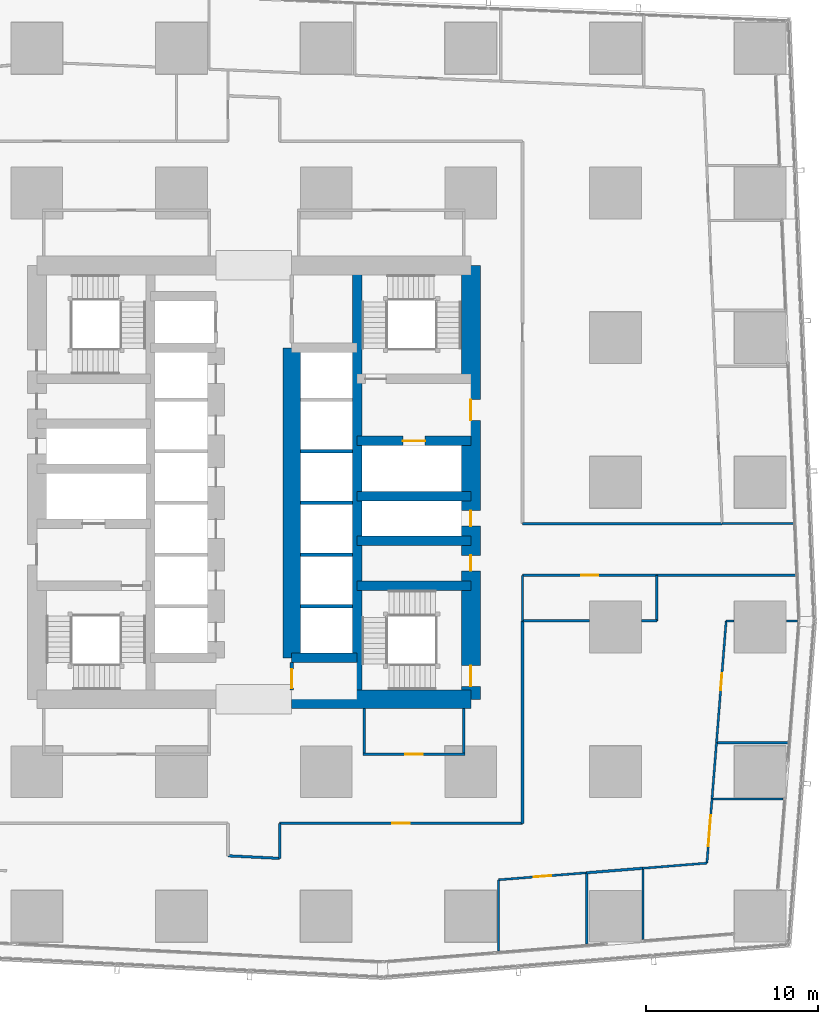
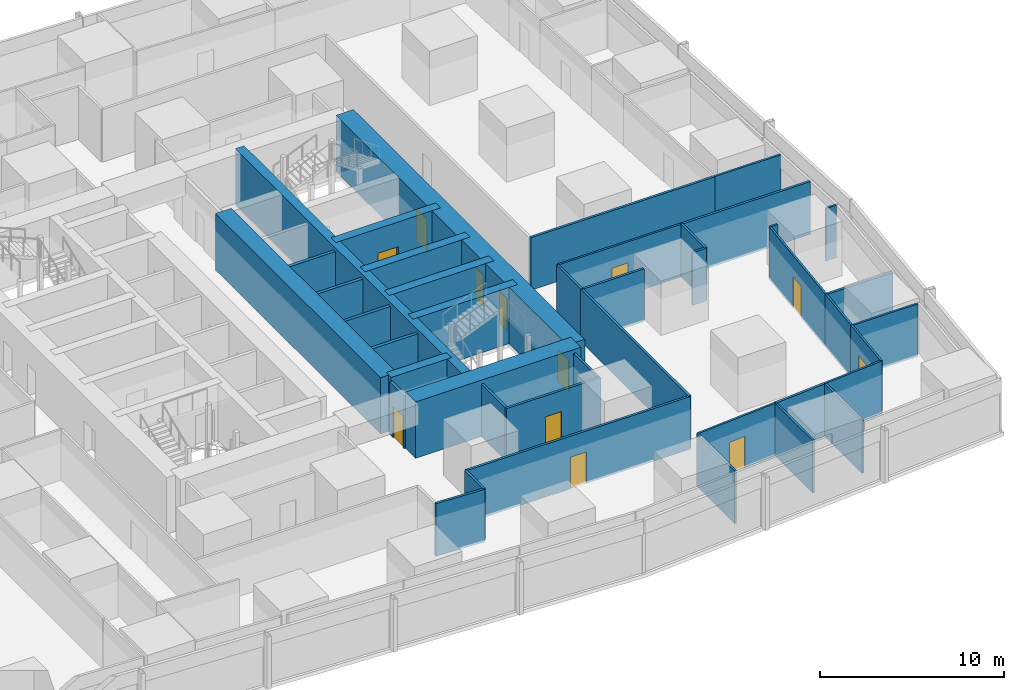
# One storey, part 33 of 45: 42 walls, 12 doors, 12 openings.
"""IFC4 building model written with IfcOpenShell, lengths in metres."""

from ifc_helpers import new_model, si_unit, direction, frame, frame_2d, origin, place, context, subcontext, project, spatial, rectangle, extrude, material, layer, layer_set, type_object, element, fill, save


model = new_model("IFC4")

# Units and contexts
model_context = context("Model", 3, precision=1e-05, world=origin(), true_north=direction((0.0, 1.0)))
body_context = subcontext(model_context, "Body", "Model", "MODEL_VIEW")
ifc_project = project(units=[si_unit("LENGTHUNIT", "METRE"), si_unit("AREAUNIT", "SQUARE_METRE"), si_unit("VOLUMEUNIT", "CUBIC_METRE"), si_unit("PLANEANGLEUNIT", "RADIAN"), si_unit("MASSUNIT", "GRAM", prefix="KILO")], contexts=[model_context])

# Site, building, storey
site_placement = place(None, origin())
site = spatial("IfcSite", under=ifc_project, at=site_placement, CompositionType="ELEMENT")
building_placement = place(site_placement, origin())
building = spatial("IfcBuilding", under=site, at=building_placement, Name="Rekha Terrace Tower", CompositionType="ELEMENT")
storey_placement = place(building_placement, frame((0.0, 0.0, 77.89990234375)))
storey = spatial("IfcBuildingStorey", under=building, at=storey_placement, Name="L19", CompositionType="ELEMENT", Elevation=77.89990234375)

# Walls
ifc_material_1 = material(Name="Concrete M70", Category="concrete")
ifc_layer_1 = layer(ifc_material_1, 0.550048828125)
ifc_layer_set_1 = layer_set([ifc_layer_1], Name="Concrete M70")
wall_type_1 = type_object("IfcWallType", Name="CI1 550 core internal shear wall", PredefinedType="SHEAR", material=ifc_layer_set_1)
wall_1_placement = place(storey_placement, frame((43.800048828125, 21.0, 0.0), z_axis=(0.0, 0.0, 1.0), x_axis=(0.0, 1.0, 0.0)))
element("IfcWall", 1, at=wall_1_placement, inside=storey, type_object=wall_type_1, Name="Core wall X438 L19", PredefinedType="SHEAR", context=body_context, shape_type="SweptSolid", body=[
    extrude(rectangle(XDim=25.199951171875, YDim=0.550048828125, at=frame_2d((12.60009765625, 0.0))), origin(), (0.0, 0.0, 1.0), 3.75),
])
wall_2_placement = place(storey_placement, frame((40.0, 23.39990234375, 0.0), z_axis=(0.0, 0.0, 1.0), x_axis=(1.0, 0.0, 0.0)))
element("IfcWall", 2, at=wall_2_placement, inside=storey, type_object=wall_type_1, Name="Core wall Y234E L19", PredefinedType="SHEAR", context=body_context, shape_type="SweptSolid", body=[
    extrude(rectangle(XDim=3.800048828125, YDim=0.550048828125, at=frame_2d((1.89990234375, 0.0))), origin(), (0.0, 0.0, 1.0), 3.75),
])
for number, where, z_axis, x_axis, name in (
    (3, (43.800048828125, 27.60009765625, 0.0), (0.0, 0.0, 1.0), (1.0, 0.0, 0.0), "Core wall Y276E L19"),
    (4, (43.800048828125, 30.199951171875, 0.0), (0.0, 0.0, 1.0), (1.0, 0.0, 0.0), "Core wall Y302E L19"),
    (5, (43.800048828125, 32.800048828125, 0.0), (0.0, 0.0, 1.0), (1.0, 0.0, 0.0), "Core wall Y328E L19"),
):
    element("IfcWall", number, at=place(storey_placement, frame(where, z_axis=z_axis, x_axis=x_axis)), inside=storey, type_object=wall_type_1, Name=name, PredefinedType="SHEAR", context=body_context, shape_type="SweptSolid", body=[
        extrude(rectangle(XDim=6.599853515625, YDim=0.550048828125, at=frame_2d((3.2998046875, 0.0))), origin(), (0.0, 0.0, 1.0), 3.75),
    ])

# Wall, opening, door
wall_3_placement = place(storey_placement, frame((43.800048828125, 36.0, 0.0), z_axis=(0.0, 0.0, 1.0), x_axis=(1.0, 0.0, 0.0)))
wall_3 = element("IfcWall", 6, at=wall_3_placement, inside=storey, type_object=wall_type_1, Name="Core wall Y360E L19", PredefinedType="SHEAR", context=body_context, shape_type="SweptSolid", body=[
    extrude(rectangle(XDim=6.599853515625, YDim=0.550048828125, at=frame_2d((3.2998046875, 0.0))), origin(), (0.0, 0.0, 1.0), 3.75),
])
opening_1_placement = place(wall_3_placement, frame((2.64990234375, 0.0, 0.0)))
opening_1 = element("IfcOpeningElement", 7, at=opening_1_placement, cuts=wall_3, Name="Opening LD2", PredefinedType="OPENING", context=body_context, shape_type="SweptSolid", body=[
    extrude(rectangle(XDim=1.300048828125, YDim=2.10009765625, at=frame_2d((0.64990234375, 1.050048828125))), frame((0.0, 0.284912109375, 0.0), z_axis=(0.0, -1.0, 0.0), x_axis=(1.0, 0.0, 0.0)), (0.0, 0.0, 1.0), 0.570068359375),
])
ifc_material_2 = material(Name="Stainless steel sliding landing door", Category="steel")
door_type_1 = type_object("IfcDoorType", Name="LD2 1300x2100 fire lift landing door", OperationType="SLIDING_TO_LEFT", PredefinedType="USERDEFINED", material=ifc_material_2)
door_1_placement = place(opening_1_placement, origin())
door_1 = element("IfcDoor", 8, at=door_1_placement, inside=storey, type_object=door_type_1, Name="Lift FL2 landing door L19", ObjectType="LIFT LANDING DOOR", OperationType="SLIDING_TO_LEFT", OverallHeight=2.10009765625, OverallWidth=1.300048828125, PredefinedType="USERDEFINED", context=body_context, shape_type="SweptSolid", body=[
    extrude(rectangle(XDim=1.300048828125, YDim=2.10009765625, at=frame_2d((0.64990234375, 1.050048828125))), frame((0.0, 0.02490234375, 0.0), z_axis=(0.0, -1.0, 0.0), x_axis=(1.0, 0.0, 0.0)), (0.0, 0.0, 1.0), 0.050048828125),
])
fill(opening_1, door_1)

# Walls
ifc_layer_2 = layer(ifc_material_1, 1.0)
ifc_layer_set_2 = layer_set([ifc_layer_2], Name="Concrete M70")
wall_type_2 = type_object("IfcWallType", Name="LW1 1000 core lobby wall at an outrigger level", PredefinedType="SHEAR", material=ifc_layer_set_2)
wall_4_placement = place(storey_placement, frame((40.0, 23.39990234375, 0.0), z_axis=(0.0, 0.0, 1.0), x_axis=(0.0, 1.0, 0.0)))
element("IfcWall", 9, at=wall_4_placement, inside=storey, type_object=wall_type_2, Name="Core wall X400 L19", PredefinedType="SHEAR", context=body_context, shape_type="SweptSolid", body=[
    extrude(rectangle(XDim=18.0, YDim=1.0, at=frame_2d((9.0, 0.0))), origin(), (0.0, 0.0, 1.0), 3.75),
])
ifc_layer_3 = layer(ifc_material_1, 1.10009765625)
ifc_layer_set_3 = layer_set([ifc_layer_3], Name="Concrete M70")
wall_type_3 = type_object("IfcWallType", Name="SW1 1100 core outer shear wall", PredefinedType="SHEAR", material=ifc_layer_set_3)
wall_5_placement = place(storey_placement, frame((40.0, 21.0, 0.0), z_axis=(0.0, 0.0, 1.0), x_axis=(1.0, 0.0, 0.0)))
element("IfcWall", 10, at=wall_5_placement, inside=storey, type_object=wall_type_3, Name="Core wall S2 L19", PredefinedType="SHEAR", context=body_context, shape_type="SweptSolid", body=[
    extrude(rectangle(XDim=10.39990234375, YDim=1.10009765625, at=frame_2d((5.199951171875, 0.0))), origin(), (0.0, 0.0, 1.0), 3.75),
])

# Wall, openings, doors
wall_6_placement = place(storey_placement, frame((50.39990234375, 21.0, 0.0), z_axis=(0.0, 0.0, 1.0), x_axis=(0.0, 1.0, 0.0)))
wall_6 = element("IfcWall", 11, at=wall_6_placement, inside=storey, type_object=wall_type_3, Name="Core wall E L19", PredefinedType="SHEAR", context=body_context, shape_type="SweptSolid", body=[
    extrude(rectangle(XDim=25.199951171875, YDim=1.10009765625, at=frame_2d((12.60009765625, 0.0))), origin(), (0.0, 0.0, 1.0), 3.75),
])
opening_2_placement = place(wall_6_placement, frame((16.199951171875, 0.0, 0.0)))
opening_2 = element("IfcOpeningElement", 12, at=opening_2_placement, cuts=wall_6, Name="Opening D2", PredefinedType="OPENING", context=body_context, shape_type="SweptSolid", body=[
    extrude(rectangle(XDim=1.199951171875, YDim=2.10009765625, at=frame_2d((0.60009765625, 1.050048828125))), frame((0.0, 0.56005859375, 0.0), z_axis=(0.0, -1.0, 0.0), x_axis=(1.0, 0.0, 0.0)), (0.0, 0.0, 1.0), 1.1201171875),
])
opening_3_placement = place(wall_6_placement, frame((10.050048828125, 0.0, 0.0)))
opening_3 = element("IfcOpeningElement", 13, at=opening_3_placement, cuts=wall_6, Name="Opening D5", PredefinedType="OPENING", context=body_context, shape_type="SweptSolid", body=[
    extrude(rectangle(XDim=0.89990234375, YDim=2.10009765625, at=frame_2d((0.449951171875, 1.050048828125))), frame((0.0, 0.56005859375, 0.0), z_axis=(0.0, -1.0, 0.0), x_axis=(1.0, 0.0, 0.0)), (0.0, 0.0, 1.0), 1.1201171875),
])
opening_4_placement = place(wall_6_placement, frame((7.449951171875, 0.0, 0.0)))
opening_4 = element("IfcOpeningElement", 14, at=opening_4_placement, cuts=wall_6, Name="Opening D5", PredefinedType="OPENING", context=body_context, shape_type="SweptSolid", body=[
    extrude(rectangle(XDim=0.89990234375, YDim=2.10009765625, at=frame_2d((0.449951171875, 1.050048828125))), frame((0.0, 0.56005859375, 0.0), z_axis=(0.0, -1.0, 0.0), x_axis=(1.0, 0.0, 0.0)), (0.0, 0.0, 1.0), 1.1201171875),
])
opening_5_placement = place(wall_6_placement, frame((0.75, 0.0, 0.0)))
opening_5 = element("IfcOpeningElement", 15, at=opening_5_placement, cuts=wall_6, Name="Opening D1", PredefinedType="OPENING", context=body_context, shape_type="SweptSolid", body=[
    extrude(rectangle(XDim=1.199951171875, YDim=2.10009765625, at=frame_2d((0.60009765625, 1.050048828125))), frame((0.0, 0.56005859375, 0.0), z_axis=(0.0, -1.0, 0.0), x_axis=(1.0, 0.0, 0.0)), (0.0, 0.0, 1.0), 1.1201171875),
])
ifc_material_3 = material(Name="Steel fire door", Category="steel")
door_type_2 = type_object("IfcDoorType", Name="D1 1200x2100 stair fire door", OperationType="SINGLE_SWING_RIGHT", PredefinedType="DOOR", material=ifc_material_3)
door_2_placement = place(opening_5_placement, origin())
door_2 = element("IfcDoor", 16, at=door_2_placement, inside=storey, type_object=door_type_2, Name="Stair ST3 door L19", OperationType="SINGLE_SWING_RIGHT", OverallHeight=2.10009765625, OverallWidth=1.199951171875, PredefinedType="DOOR", context=body_context, shape_type="SweptSolid", body=[
    extrude(rectangle(XDim=1.199951171875, YDim=2.10009765625, at=frame_2d((0.60009765625, 1.050048828125))), frame((0.0, 0.02490234375, 0.0), z_axis=(0.0, -1.0, 0.0), x_axis=(1.0, 0.0, 0.0)), (0.0, 0.0, 1.0), 0.050048828125),
])
fill(opening_5, door_2)
door_type_3 = type_object("IfcDoorType", Name="D2 1200x2100 firefighting lobby door", OperationType="SINGLE_SWING_LEFT", PredefinedType="DOOR", material=ifc_material_3)
door_3_placement = place(opening_2_placement, origin())
door_3 = element("IfcDoor", 17, at=door_3_placement, inside=storey, type_object=door_type_3, Name="Door flb2 L19", OperationType="SINGLE_SWING_LEFT", OverallHeight=2.10009765625, OverallWidth=1.199951171875, PredefinedType="DOOR", context=body_context, shape_type="SweptSolid", body=[
    extrude(rectangle(XDim=1.199951171875, YDim=2.10009765625, at=frame_2d((0.60009765625, 1.050048828125))), frame((0.0, 0.02490234375, 0.0), z_axis=(0.0, -1.0, 0.0), x_axis=(1.0, 0.0, 0.0)), (0.0, 0.0, 1.0), 0.050048828125),
])
fill(opening_2, door_3)
door_type_4 = type_object("IfcDoorType", Name="D5 900x2100 riser access door", OperationType="SINGLE_SWING_LEFT", PredefinedType="DOOR", material=ifc_material_3)
door_4_placement = place(opening_3_placement, origin())
door_4 = element("IfcDoor", 18, at=door_4_placement, inside=storey, type_object=door_type_4, Name="Door rs2 L19", OperationType="SINGLE_SWING_LEFT", OverallHeight=2.10009765625, OverallWidth=0.89990234375, PredefinedType="DOOR", context=body_context, shape_type="SweptSolid", body=[
    extrude(rectangle(XDim=0.89990234375, YDim=2.10009765625, at=frame_2d((0.449951171875, 1.050048828125))), frame((0.0, 0.02490234375, 0.0), z_axis=(0.0, -1.0, 0.0), x_axis=(1.0, 0.0, 0.0)), (0.0, 0.0, 1.0), 0.050048828125),
])
fill(opening_3, door_4)
door_5_placement = place(opening_4_placement, origin())
door_5 = element("IfcDoor", 19, at=door_5_placement, inside=storey, type_object=door_type_4, Name="Door ele L19", OperationType="SINGLE_SWING_LEFT", OverallHeight=2.10009765625, OverallWidth=0.89990234375, PredefinedType="DOOR", context=body_context, shape_type="SweptSolid", body=[
    extrude(rectangle(XDim=0.89990234375, YDim=2.10009765625, at=frame_2d((0.449951171875, 1.050048828125))), frame((0.0, 0.02490234375, 0.0), z_axis=(0.0, -1.0, 0.0), x_axis=(1.0, 0.0, 0.0)), (0.0, 0.0, 1.0), 0.050048828125),
])
fill(opening_4, door_5)

# Wall, opening, door
ifc_material_4 = material(Name="Concrete block masonry, 1 hour", Category="masonry")
ifc_layer_4 = layer(ifc_material_4, 0.14990234375)
ifc_layer_set_4 = layer_set([ifc_layer_4], Name="Concrete block masonry, 1 hour")
wall_type_4 = type_object("IfcWallType", Name="WP2 150 tenancy partition", PredefinedType="PARTITIONING", material=ifc_layer_set_4)
wall_7_placement = place(storey_placement, frame((44.125, 17.800048828125, 0.0), z_axis=(0.0, 0.0, 1.0), x_axis=(1.0, 0.0, 0.0)))
wall_7 = element("IfcWall", 20, at=wall_7_placement, inside=storey, type_object=wall_type_4, Name="Men's WC wall L19", PredefinedType="PARTITIONING", context=body_context, shape_type="SweptSolid", body=[
    extrude(rectangle(XDim=5.949951171875, YDim=0.14990234375, at=frame_2d((2.97509765625, 0.0))), origin(), (0.0, 0.0, 1.0), 3.5),
])
opening_6_placement = place(wall_7_placement, frame((2.47509765625, 0.0, 0.0)))
opening_6 = element("IfcOpeningElement", 21, at=opening_6_placement, cuts=wall_7, Name="Opening D3", PredefinedType="OPENING", context=body_context, shape_type="SweptSolid", body=[
    extrude(rectangle(XDim=1.0, YDim=2.10009765625, at=frame_2d((0.5, 1.050048828125))), frame((0.0, 0.0849609375, 0.0), z_axis=(0.0, -1.0, 0.0), x_axis=(1.0, 0.0, 0.0)), (0.0, 0.0, 1.0), 0.169921875),
])
ifc_material_5 = material(Name="Laminated timber fire door", Category="wood")
door_type_5 = type_object("IfcDoorType", Name="D3 1000x2100 WC door", OperationType="SINGLE_SWING_LEFT", PredefinedType="DOOR", material=ifc_material_5)
door_6_placement = place(opening_6_placement, origin())
door_6 = element("IfcDoor", 22, at=door_6_placement, inside=storey, type_object=door_type_5, Name="Door men's wc L19", OperationType="SINGLE_SWING_LEFT", OverallHeight=2.10009765625, OverallWidth=1.0, PredefinedType="DOOR", context=body_context, shape_type="SweptSolid", body=[
    extrude(rectangle(XDim=1.0, YDim=2.10009765625, at=frame_2d((0.5, 1.050048828125))), frame((0.0, 0.02490234375, 0.0), z_axis=(0.0, -1.0, 0.0), x_axis=(1.0, 0.0, 0.0)), (0.0, 0.0, 1.0), 0.050048828125),
])
fill(opening_6, door_6)

# Walls
for number, where, z_axis, x_axis, name in (
    (23, (44.199951171875, 17.875, 0.0), (0.0, 0.0, 1.0), (0.0, 1.0, 0.0), "Men's WC wall L19"),
    (24, (50.0, 17.875, 0.0), (0.0, 0.0, 1.0), (0.0, 1.0, 0.0), "Men's WC wall L19"),
):
    element("IfcWall", number, at=place(storey_placement, frame(where, z_axis=z_axis, x_axis=x_axis)), inside=storey, type_object=wall_type_4, Name=name, PredefinedType="PARTITIONING", context=body_context, shape_type="SweptSolid", body=[
        extrude(rectangle(XDim=2.574951171875, YDim=0.14990234375, at=frame_2d((1.28759765625, 0.0))), origin(), (0.0, 0.0, 1.0), 3.5),
    ])
wall_8_placement = place(storey_placement, frame((53.39990234375, 13.800048828125, 0.0), z_axis=(0.0, 0.0, 1.0), x_axis=(0.0, 1.0, 0.0)))
element("IfcWall", 25, at=wall_8_placement, inside=storey, type_object=wall_type_4, Name="Partition L19-O1", PredefinedType="PARTITIONING", context=body_context, shape_type="SweptSolid", body=[
    extrude(rectangle(XDim=11.751953125, YDim=0.14990234375, at=frame_2d((5.8759765625, 0.0))), origin(), (0.0, 0.0, 1.0), 3.5),
])
wall_9_placement = place(storey_placement, frame((53.39990234375, 25.552001953125, 0.0), z_axis=(0.0, 0.0, 1.0), x_axis=(1.0, 0.0, 0.0)))
element("IfcWall", 26, at=wall_9_placement, inside=storey, type_object=wall_type_4, Name="Partition L19-O1", PredefinedType="PARTITIONING", context=body_context, shape_type="SweptSolid", body=[
    extrude(rectangle(XDim=3.880126953125, YDim=0.14990234375, at=frame_2d((1.93994140625, 0.0))), origin(), (0.0, 0.0, 1.0), 3.5),
])
wall_10_placement = place(storey_placement, frame((60.320068359375, 25.552001953125, 0.0), z_axis=(0.0, 0.0, 1.0), x_axis=(1.0, 0.0, 0.0)))
element("IfcWall", 27, at=wall_10_placement, inside=storey, type_object=wall_type_4, Name="Partition L19-O1", PredefinedType="PARTITIONING", context=body_context, shape_type="SweptSolid", body=[
    extrude(rectangle(XDim=0.8798828125, YDim=0.14990234375, at=frame_2d((0.43994140625, 0.0))), origin(), (0.0, 0.0, 1.0), 3.5),
])
wall_11_placement = place(storey_placement, frame((61.199951171875, 25.552001953125, 0.0), z_axis=(0.0, 0.0, 1.0), x_axis=(0.0, 1.0, 0.0)))
element("IfcWall", 28, at=wall_11_placement, inside=storey, type_object=wall_type_4, Name="Partition L19-O1", PredefinedType="PARTITIONING", context=body_context, shape_type="SweptSolid", body=[
    extrude(rectangle(XDim=2.64794921875, YDim=0.14990234375, at=frame_2d((1.323974609375, 0.0))), origin(), (0.0, 0.0, 1.0), 3.5),
])
wall_12_placement = place(storey_placement, frame((61.199951171875, 28.199951171875, 0.0), z_axis=(0.0, 0.0, 1.0), x_axis=(1.0, 0.0, 0.0)))
element("IfcWall", 29, at=wall_12_placement, inside=storey, type_object=wall_type_4, Name="Partition L19-O1", PredefinedType="PARTITIONING", context=body_context, shape_type="SweptSolid", body=[
    extrude(rectangle(XDim=8.073974609375, YDim=0.14990234375, at=frame_2d((4.037109375, 0.0))), origin(), (0.0, 0.0, 1.0), 3.5),
])
wall_13_placement = place(storey_placement, frame((64.72900390625, 18.47705078125, 0.0), z_axis=(0.0, 0.0, 1.0), x_axis=(1.0, 0.0, 0.0)))
element("IfcWall", 30, at=wall_13_placement, inside=storey, type_object=wall_type_4, Name="Partition L19-O1", PredefinedType="PARTITIONING", context=body_context, shape_type="SweptSolid", body=[
    extrude(rectangle(XDim=4.10009765625, YDim=0.14990234375, at=frame_2d((2.050048828125, 0.0))), origin(), (0.0, 0.0, 1.0), 3.5),
])
wall_14_placement = place(storey_placement, frame((60.35888671875, 11.18408203125, 0.0), z_axis=(0.0, 0.0, 1.0), x_axis=(-0.996797760889, -0.079963891146, 0.0)))
element("IfcWall", 31, at=wall_14_placement, inside=storey, type_object=wall_type_4, Name="Partition L19-O1", PredefinedType="PARTITIONING", context=body_context, shape_type="SweptSolid", body=[
    extrude(rectangle(XDim=3.2392578125, YDim=0.14990234375, at=frame_2d((1.61962890625, 0.0))), origin(), (0.0, 0.0, 1.0), 3.5),
])
wall_15_placement = place(storey_placement, frame((36.300048828125, 11.908935546875, 0.0), z_axis=(0.0, 0.0, 1.0), x_axis=(0.998802102454, -0.048932199355, 0.0)))
element("IfcWall", 32, at=wall_15_placement, inside=storey, type_object=wall_type_4, Name="Partition L19-O1", PredefinedType="PARTITIONING", context=body_context, shape_type="SweptSolid", body=[
    extrude(rectangle(XDim=3.003662109375, YDim=0.14990234375, at=frame_2d((1.501953125, 0.0))), origin(), (0.0, 0.0, 1.0), 3.5),
])
wall_16_placement = place(storey_placement, frame((39.300048828125, 11.761962890625, 0.0), z_axis=(0.0, 0.0, 1.0), x_axis=(0.0, 1.0, 0.0)))
element("IfcWall", 33, at=wall_16_placement, inside=storey, type_object=wall_type_4, Name="Partition L19-O1", PredefinedType="PARTITIONING", context=body_context, shape_type="SweptSolid", body=[
    extrude(rectangle(XDim=2.0380859375, YDim=0.14990234375, at=frame_2d((1.01904296875, 0.0))), origin(), (0.0, 0.0, 1.0), 3.5),
])

# Wall, opening, door
wall_17_placement = place(storey_placement, frame((39.300048828125, 13.800048828125, 0.0), z_axis=(0.0, 0.0, 1.0), x_axis=(1.0, 0.0, 0.0)))
wall_17 = element("IfcWall", 34, at=wall_17_placement, inside=storey, type_object=wall_type_4, Name="Partition L19-O1", PredefinedType="PARTITIONING", context=body_context, shape_type="SweptSolid", body=[
    extrude(rectangle(XDim=14.099853515625, YDim=0.14990234375, at=frame_2d((7.0498046875, 0.0))), origin(), (0.0, 0.0, 1.0), 3.5),
])
opening_7_placement = place(wall_17_placement, frame((6.550048828125, 0.0, 0.0)))
opening_7 = element("IfcOpeningElement", 35, at=opening_7_placement, cuts=wall_17, Name="Opening D9", PredefinedType="OPENING", context=body_context, shape_type="SweptSolid", body=[
    extrude(rectangle(XDim=1.0, YDim=2.10009765625, at=frame_2d((0.5, 1.050048828125))), frame((0.0, 0.0849609375, 0.0), z_axis=(0.0, -1.0, 0.0), x_axis=(1.0, 0.0, 0.0)), (0.0, 0.0, 1.0), 0.169921875),
])
ifc_material_6 = material(Name="Timber fire door", Category="wood")
door_type_6 = type_object("IfcDoorType", Name="D9 1000x2100 office door", OperationType="SINGLE_SWING_LEFT", PredefinedType="DOOR", material=ifc_material_6)
door_7_placement = place(opening_7_placement, origin())
door_7 = element("IfcDoor", 36, at=door_7_placement, inside=storey, type_object=door_type_6, Name="Door open-plan office L19", OperationType="SINGLE_SWING_LEFT", OverallHeight=2.10009765625, OverallWidth=1.0, PredefinedType="DOOR", context=body_context, shape_type="SweptSolid", body=[
    extrude(rectangle(XDim=1.0, YDim=2.10009765625, at=frame_2d((0.5, 1.050048828125))), frame((0.0, 0.02490234375, 0.0), z_axis=(0.0, -1.0, 0.0), x_axis=(1.0, 0.0, 0.0)), (0.0, 0.0, 1.0), 0.050048828125),
])
fill(opening_7, door_7)

# Wall
wall_18_placement = place(storey_placement, frame((64.990966796875, 31.199951171875, 0.0), z_axis=(0.0, 0.0, 1.0), x_axis=(-1.0, 0.0, 0.0)))
element("IfcWall", 37, at=wall_18_placement, inside=storey, type_object=wall_type_4, Name="Partition L19-O3", PredefinedType="PARTITIONING", context=body_context, shape_type="SweptSolid", body=[
    extrude(rectangle(XDim=11.591064453125, YDim=0.14990234375, at=frame_2d((5.79541015625, 0.0))), origin(), (0.0, 0.0, 1.0), 3.5),
])

# Wall, opening, door
ifc_material_7 = material(Name="Two layers of fire-rated gypsum board each side on steel studs, acoustic quilt, 1 hour", Category="steel")
ifc_layer_5 = layer(ifc_material_7, 0.125)
ifc_layer_set_5 = layer_set([ifc_layer_5], Name="Two layers of fire-rated gypsum board each side on steel studs, acoustic quilt, 1 hour")
wall_type_5 = type_object("IfcWallType", Name="WP3 125 office partition", PredefinedType="PARTITIONING", material=ifc_layer_set_5)
wall_19_placement = place(storey_placement, frame((52.0009765625, 10.514892578125, 0.0), z_axis=(0.0, 0.0, 1.0), x_axis=(0.996816485631, 0.079730132159, 0.0)))
wall_19 = element("IfcWall", 38, at=wall_19_placement, inside=storey, type_object=wall_type_5, Name="Partition L19-02", PredefinedType="PARTITIONING", context=body_context, shape_type="SweptSolid", body=[
    extrude(rectangle(XDim=5.144287109375, YDim=0.125, at=frame_2d((2.572265625, 0.0))), origin(), (0.0, 0.0, 1.0), 3.5),
])
opening_8_placement = place(wall_19_placement, frame((2.072021484375, 0.0, 0.0)))
opening_8 = element("IfcOpeningElement", 39, at=opening_8_placement, cuts=wall_19, Name="Opening D9", PredefinedType="OPENING", context=body_context, shape_type="SweptSolid", body=[
    extrude(rectangle(XDim=1.0, YDim=2.10009765625, at=frame_2d((0.5, 1.050048828125))), frame((0.0, 0.072509765625, 0.0), z_axis=(0.0, -1.0, 0.0), x_axis=(1.0, 0.0, 0.0)), (0.0, 0.0, 1.0), 0.14501953125),
])
door_8_placement = place(opening_8_placement, origin())
door_8 = element("IfcDoor", 40, at=door_8_placement, inside=storey, type_object=door_type_6, Name="Door meeting room L19", OperationType="SINGLE_SWING_LEFT", OverallHeight=2.10009765625, OverallWidth=1.0, PredefinedType="DOOR", context=body_context, shape_type="SweptSolid", body=[
    extrude(rectangle(XDim=1.0, YDim=2.10009765625, at=frame_2d((0.5, 1.050048828125))), frame((0.0, 0.02490234375, 0.0), z_axis=(0.0, -1.0, 0.0), x_axis=(1.0, 0.0, 0.0)), (0.0, 0.0, 1.0), 0.050048828125),
])
fill(opening_8, door_8)

# Walls
wall_20_placement = place(storey_placement, frame((57.12890625, 10.925048828125, 0.0), z_axis=(0.0, 0.0, 1.0), x_axis=(0.0, -1.0, 0.0)))
element("IfcWall", 41, at=wall_20_placement, inside=storey, type_object=wall_type_5, Name="Partition L19-02", PredefinedType="PARTITIONING", context=body_context, shape_type="SweptSolid", body=[
    extrude(rectangle(XDim=4.133056640625, YDim=0.125, at=frame_2d((2.06640625, 0.0))), origin(), (0.0, 0.0, 1.0), 3.5),
])
wall_21_placement = place(storey_placement, frame((52.0009765625, 6.381103515625, 0.0), z_axis=(0.0, 0.0, 1.0), x_axis=(0.0, 1.0, 0.0)))
element("IfcWall", 42, at=wall_21_placement, inside=storey, type_object=wall_type_5, Name="Partition L19-02", PredefinedType="PARTITIONING", context=body_context, shape_type="SweptSolid", body=[
    extrude(rectangle(XDim=4.1337890625, YDim=0.125, at=frame_2d((2.06689453125, 0.0))), origin(), (0.0, 0.0, 1.0), 3.5),
])
wall_22_placement = place(storey_placement, frame((60.39208984375, 7.053955078125, 0.0), z_axis=(0.0, 0.0, 1.0), x_axis=(0.0, 1.0, 0.0)))
element("IfcWall", 43, at=wall_22_placement, inside=storey, type_object=wall_type_5, Name="Partition L19-04", PredefinedType="PARTITIONING", context=body_context, shape_type="SweptSolid", body=[
    extrude(rectangle(XDim=4.070068359375, YDim=0.125, at=frame_2d((2.03515625, 0.0))), origin(), (0.0, 0.0, 1.0), 3.5),
])
wall_23_placement = place(storey_placement, frame((60.360107421875, 11.18408203125, 0.0), z_axis=(0.0, 0.0, 1.0), x_axis=(0.996795236894, 0.079995348027, 0.0)))
element("IfcWall", 44, at=wall_23_placement, inside=storey, type_object=wall_type_5, Name="Partition L19-04", PredefinedType="PARTITIONING", context=body_context, shape_type="SweptSolid", body=[
    extrude(rectangle(XDim=3.762939453125, YDim=0.125, at=frame_2d((1.88134765625, 0.0))), origin(), (0.0, 0.0, 1.0), 3.5),
])

# Wall, opening, door
wall_24_placement = place(storey_placement, frame((64.111083984375, 11.485107421875, 0.0), z_axis=(0.0, 0.0, 1.0), x_axis=(0.079075405568, 0.996868637401, 0.0)))
wall_24 = element("IfcWall", 45, at=wall_24_placement, inside=storey, type_object=wall_type_5, Name="Partition L19-04", PredefinedType="PARTITIONING", context=body_context, shape_type="SweptSolid", body=[
    extrude(rectangle(XDim=3.7666015625, YDim=0.125, at=frame_2d((1.88330078125, 0.0))), origin(), (0.0, 0.0, 1.0), 3.5),
])
opening_9_placement = place(wall_24_placement, frame((0.98291015625, 0.0, 0.0)))
opening_9 = element("IfcOpeningElement", 46, at=opening_9_placement, cuts=wall_24, Name="Opening D8", PredefinedType="OPENING", context=body_context, shape_type="SweptSolid", body=[
    extrude(rectangle(XDim=1.800048828125, YDim=2.10009765625, at=frame_2d((0.89990234375, 1.050048828125))), frame((0.0, 0.072509765625, 0.0), z_axis=(0.0, -1.0, 0.0), x_axis=(1.0, 0.0, 0.0)), (0.0, 0.0, 1.0), 0.14501953125),
])
door_type_7 = type_object("IfcDoorType", Name="D8 1800x2100 double leaf door", OperationType="DOUBLE_DOOR_SINGLE_SWING", PredefinedType="DOOR", material=ifc_material_6)
door_9_placement = place(opening_9_placement, origin())
door_9 = element("IfcDoor", 47, at=door_9_placement, inside=storey, type_object=door_type_7, Name="Door meeting room L19", OperationType="DOUBLE_DOOR_SINGLE_SWING", OverallHeight=2.10009765625, OverallWidth=1.800048828125, PredefinedType="DOOR", context=body_context, shape_type="SweptSolid", body=[
    extrude(rectangle(XDim=1.800048828125, YDim=2.10009765625, at=frame_2d((0.89990234375, 1.050048828125))), frame((0.0, 0.02490234375, 0.0), z_axis=(0.0, -1.0, 0.0), x_axis=(1.0, 0.0, 0.0)), (0.0, 0.0, 1.0), 0.050048828125),
])
fill(opening_9, door_9)

# Walls
wall_25_placement = place(storey_placement, frame((64.468994140625, 15.2080078125, 0.0), z_axis=(0.0, 0.0, 1.0), x_axis=(1.0, 0.0, 0.0)))
element("IfcWall", 48, at=wall_25_placement, inside=storey, type_object=wall_type_5, Name="Partition L19-04", PredefinedType="PARTITIONING", context=body_context, shape_type="SweptSolid", body=[
    extrude(rectangle(XDim=4.071044921875, YDim=0.125, at=frame_2d((2.03564453125, 0.0))), origin(), (0.0, 0.0, 1.0), 3.5),
])
wall_26_placement = place(storey_placement, frame((65.22705078125, 25.551025390625, 0.0), z_axis=(0.0, 0.0, 1.0), x_axis=(1.0, 0.0, 0.0)))
element("IfcWall", 49, at=wall_26_placement, inside=storey, type_object=wall_type_5, Name="Partition L19-05", PredefinedType="PARTITIONING", context=body_context, shape_type="SweptSolid", body=[
    extrude(rectangle(XDim=0.452880859375, YDim=0.125, at=frame_2d((0.2265625, 0.0))), origin(), (0.0, 0.0, 1.0), 3.5),
])
wall_27_placement = place(storey_placement, frame((68.719970703125, 25.551025390625, 0.0), z_axis=(0.0, 0.0, 1.0), x_axis=(1.0, 0.0, 0.0)))
element("IfcWall", 50, at=wall_27_placement, inside=storey, type_object=wall_type_5, Name="Partition L19-05", PredefinedType="PARTITIONING", context=body_context, shape_type="SweptSolid", body=[
    extrude(rectangle(XDim=0.636962890625, YDim=0.125, at=frame_2d((0.318359375, 0.0))), origin(), (0.0, 0.0, 1.0), 3.5),
])
wall_28_placement = place(storey_placement, frame((64.408935546875, 15.240966796875, 0.0), z_axis=(0.0, 0.0, 1.0), x_axis=(0.079215977886, 0.996857476697, 0.0)))
element("IfcWall", 51, at=wall_28_placement, inside=storey, type_object=wall_type_5, Name="Partition L19-05", PredefinedType="PARTITIONING", context=body_context, shape_type="SweptSolid", body=[
    extrude(rectangle(XDim=3.245361328125, YDim=0.125, at=frame_2d((1.62255859375, 0.0))), origin(), (0.0, 0.0, 1.0), 3.5),
])

# Wall, opening, door
wall_29_placement = place(storey_placement, frame((64.666015625, 18.47607421875, 0.0), z_axis=(0.0, 0.0, 1.0), x_axis=(0.079050645003, 0.996870601194, 0.0)))
wall_29 = element("IfcWall", 52, at=wall_29_placement, inside=storey, type_object=wall_type_5, Name="Partition L19-05", PredefinedType="PARTITIONING", context=body_context, shape_type="SweptSolid", body=[
    extrude(rectangle(XDim=7.09716796875, YDim=0.125, at=frame_2d((3.548583984375, 0.0))), origin(), (0.0, 0.0, 1.0), 3.5),
])
opening_10_placement = place(wall_29_placement, frame((3.049072265625, 0.0, 0.0)))
opening_10 = element("IfcOpeningElement", 53, at=opening_10_placement, cuts=wall_29, Name="Opening D9", PredefinedType="OPENING", context=body_context, shape_type="SweptSolid", body=[
    extrude(rectangle(XDim=1.0, YDim=2.10009765625, at=frame_2d((0.5, 1.050048828125))), frame((0.0, 0.072509765625, 0.0), z_axis=(0.0, -1.0, 0.0), x_axis=(1.0, 0.0, 0.0)), (0.0, 0.0, 1.0), 0.14501953125),
])
door_10_placement = place(opening_10_placement, origin())
door_10 = element("IfcDoor", 54, at=door_10_placement, inside=storey, type_object=door_type_6, Name="Door office L19", OperationType="SINGLE_SWING_LEFT", OverallHeight=2.10009765625, OverallWidth=1.0, PredefinedType="DOOR", context=body_context, shape_type="SweptSolid", body=[
    extrude(rectangle(XDim=1.0, YDim=2.10009765625, at=frame_2d((0.5, 1.050048828125))), frame((0.0, 0.02490234375, 0.0), z_axis=(0.0, -1.0, 0.0), x_axis=(1.0, 0.0, 0.0)), (0.0, 0.0, 1.0), 0.050048828125),
])
fill(opening_10, door_10)

# Wall
wall_30_placement = place(storey_placement, frame((53.39990234375, 25.552001953125, 0.0), z_axis=(0.0, 0.0, 1.0), x_axis=(0.0, 1.0, 0.0)))
element("IfcWall", 55, at=wall_30_placement, inside=storey, type_object=wall_type_5, Name="Partition L19-13", PredefinedType="PARTITIONING", context=body_context, shape_type="SweptSolid", body=[
    extrude(rectangle(XDim=2.64794921875, YDim=0.125, at=frame_2d((1.323974609375, 0.0))), origin(), (0.0, 0.0, 1.0), 3.5),
])

# Wall, opening, door
wall_31_placement = place(storey_placement, frame((53.39990234375, 28.199951171875, 0.0), z_axis=(0.0, 0.0, 1.0), x_axis=(1.0, 0.0, 0.0)))
wall_31 = element("IfcWall", 56, at=wall_31_placement, inside=storey, type_object=wall_type_5, Name="Partition L19-13", PredefinedType="PARTITIONING", context=body_context, shape_type="SweptSolid", body=[
    extrude(rectangle(XDim=7.800048828125, YDim=0.125, at=frame_2d((3.89990234375, 0.0))), origin(), (0.0, 0.0, 1.0), 3.5),
])
opening_11_placement = place(wall_31_placement, frame((3.39990234375, 0.0, 0.0)))
opening_11 = element("IfcOpeningElement", 57, at=opening_11_placement, cuts=wall_31, Name="Opening D9", PredefinedType="OPENING", context=body_context, shape_type="SweptSolid", body=[
    extrude(rectangle(XDim=1.0, YDim=2.10009765625, at=frame_2d((0.5, 1.050048828125))), frame((0.0, 0.072509765625, 0.0), z_axis=(0.0, -1.0, 0.0), x_axis=(1.0, 0.0, 0.0)), (0.0, 0.0, 1.0), 0.14501953125),
])
door_11_placement = place(opening_11_placement, origin())
door_11 = element("IfcDoor", 58, at=door_11_placement, inside=storey, type_object=door_type_6, Name="Door reception L19", OperationType="SINGLE_SWING_LEFT", OverallHeight=2.10009765625, OverallWidth=1.0, PredefinedType="DOOR", context=body_context, shape_type="SweptSolid", body=[
    extrude(rectangle(XDim=1.0, YDim=2.10009765625, at=frame_2d((0.5, 1.050048828125))), frame((0.0, 0.02490234375, 0.0), z_axis=(0.0, -1.0, 0.0), x_axis=(1.0, 0.0, 0.0)), (0.0, 0.0, 1.0), 0.050048828125),
])
fill(opening_11, door_11)

# Walls
wall_32_placement = place(storey_placement, frame((69.14501953125, 31.201904296875, 0.0), z_axis=(0.0, 0.0, 1.0), x_axis=(-1.0, 0.0, 0.0)))
element("IfcWall", 59, at=wall_32_placement, inside=storey, type_object=wall_type_5, Name="Partition L19-14", PredefinedType="PARTITIONING", context=body_context, shape_type="SweptSolid", body=[
    extrude(rectangle(XDim=4.154052734375, YDim=0.125, at=frame_2d((2.0771484375, 0.0))), origin(), (0.0, 0.0, 1.0), 3.5),
])
ifc_material_8 = material(Name="Solid concrete block masonry, 2 hour", Category="masonry")
ifc_layer_6 = layer(ifc_material_8, 0.199951171875)
ifc_layer_set_6 = layer_set([ifc_layer_6], Name="Solid concrete block masonry, 2 hour")
wall_type_6 = type_object("IfcWallType", Name="WS1 200 stair and shaft enclosure", PredefinedType="PARTITIONING", material=ifc_layer_set_6)
for number, where, z_axis, x_axis, name in (
    (60, (40.5, 26.39990234375, 0.0), (0.0, 0.0, 1.0), (1.0, 0.0, 0.0), "Lift shaft divider L19"),
    (61, (40.5, 29.39990234375, 0.0), (0.0, 0.0, 1.0), (1.0, 0.0, 0.0), "Lift shaft divider L19"),
    (62, (40.5, 32.39990234375, 0.0), (0.0, 0.0, 1.0), (1.0, 0.0, 0.0), "Lift shaft divider L19"),
    (63, (40.5, 35.39990234375, 0.0), (0.0, 0.0, 1.0), (1.0, 0.0, 0.0), "Lift shaft divider L19"),
):
    element("IfcWall", number, at=place(storey_placement, frame(where, z_axis=z_axis, x_axis=x_axis)), inside=storey, type_object=wall_type_6, Name=name, PredefinedType="PARTITIONING", context=body_context, shape_type="SweptSolid", body=[
        extrude(rectangle(XDim=3.02490234375, YDim=0.199951171875, at=frame_2d((1.512451171875, 0.0))), origin(), (0.0, 0.0, 1.0), 3.5),
    ])

# Wall, opening, door
wall_33_placement = place(storey_placement, frame((40.0, 21.550048828125, 0.0), z_axis=(0.0, 0.0, 1.0), x_axis=(0.0, 1.0, 0.0)))
wall_33 = element("IfcWall", 64, at=wall_33_placement, inside=storey, type_object=wall_type_6, Name="Core partition wca L19", PredefinedType="PARTITIONING", context=body_context, shape_type="SweptSolid", body=[
    extrude(rectangle(XDim=1.574951171875, YDim=0.199951171875, at=frame_2d((0.78759765625, 0.0))), origin(), (0.0, 0.0, 1.0), 3.5),
])
opening_12_placement = place(wall_33_placement, frame((0.10009765625, 0.0, 0.0)))
opening_12 = element("IfcOpeningElement", 65, at=opening_12_placement, cuts=wall_33, Name="Opening D4", PredefinedType="OPENING", context=body_context, shape_type="SweptSolid", body=[
    extrude(rectangle(XDim=1.10009765625, YDim=2.10009765625, at=frame_2d((0.550048828125, 1.050048828125))), frame((0.0, 0.10986328125, 0.0), z_axis=(0.0, -1.0, 0.0), x_axis=(1.0, 0.0, 0.0)), (0.0, 0.0, 1.0), 0.219970703125),
])
door_type_8 = type_object("IfcDoorType", Name="D4 1100x2100 accessible WC door", OperationType="SLIDING_TO_LEFT", PredefinedType="DOOR", material=ifc_material_5)
door_12_placement = place(opening_12_placement, origin())
door_12 = element("IfcDoor", 66, at=door_12_placement, inside=storey, type_object=door_type_8, Name="Door wca L19", OperationType="SLIDING_TO_LEFT", OverallHeight=2.10009765625, OverallWidth=1.10009765625, PredefinedType="DOOR", context=body_context, shape_type="SweptSolid", body=[
    extrude(rectangle(XDim=1.10009765625, YDim=2.10009765625, at=frame_2d((0.550048828125, 1.050048828125))), frame((0.0, 0.02490234375, 0.0), z_axis=(0.0, -1.0, 0.0), x_axis=(1.0, 0.0, 0.0)), (0.0, 0.0, 1.0), 0.050048828125),
])
fill(opening_12, door_12)

save(model, "model.ifc")
